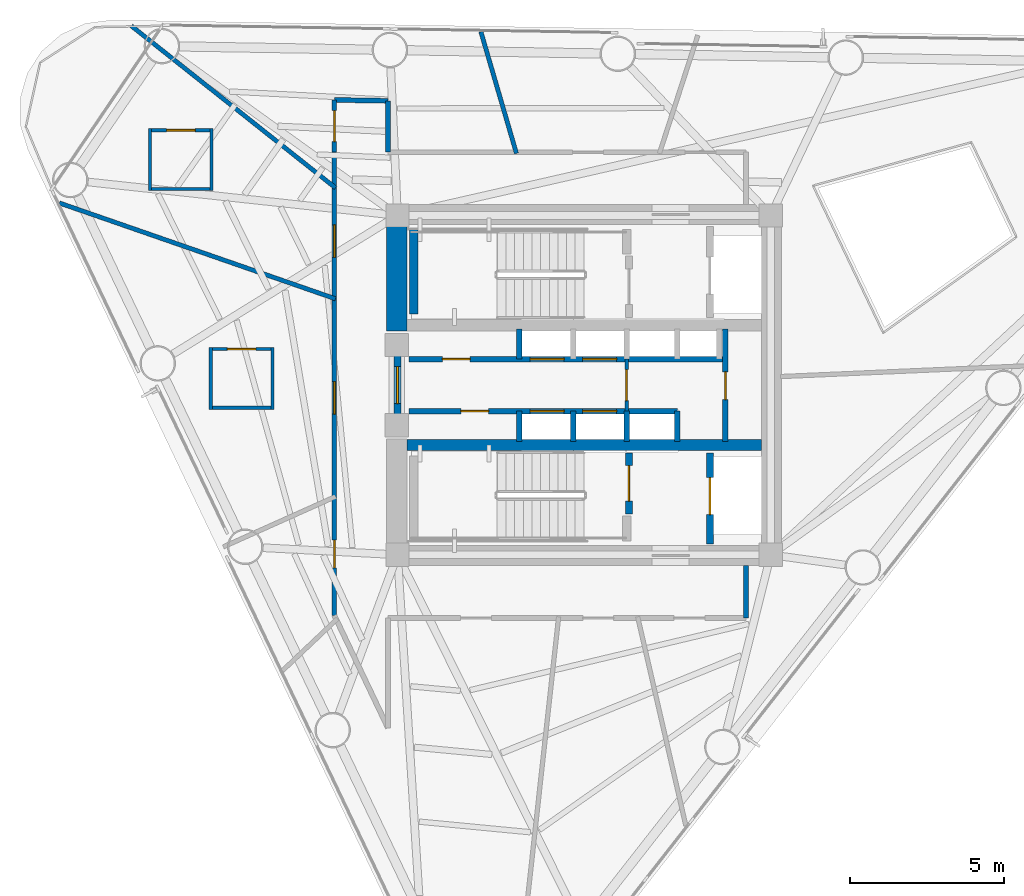
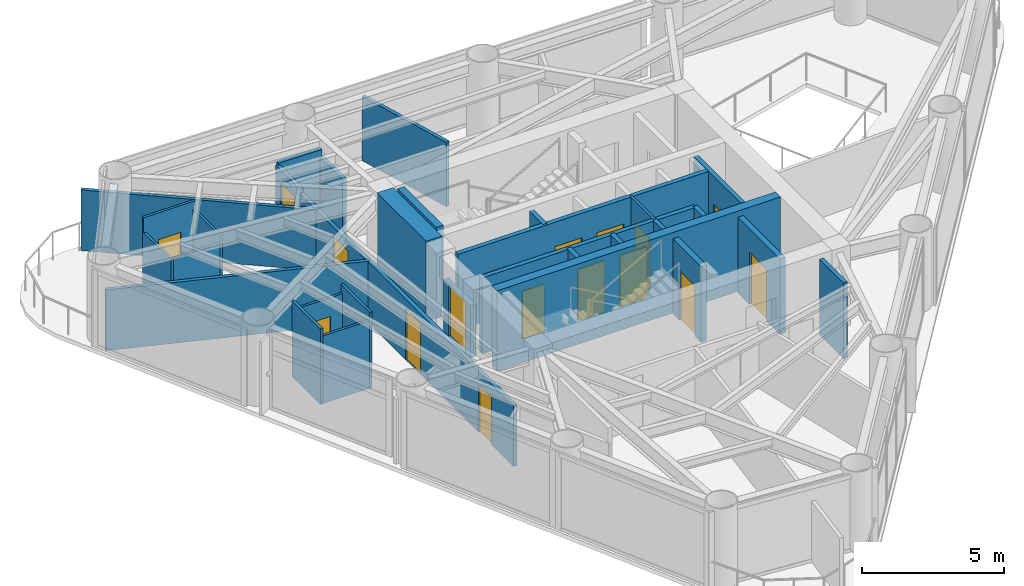
# One storey, part 5 of 9: 31 walls, 17 doors, 17 openings.
"""IFC4 building model written with IfcOpenShell, lengths in metres."""

from ifc_helpers import new_model, si_unit, direction, frame, frame_2d, origin, place, context, subcontext, project, spatial, rectangle, extrude, material, layer, layer_set, type_object, element, fill, save


model = new_model("IFC4")

# Units and contexts
model_context = context("Model", 3, precision=1e-05, world=origin(), true_north=direction((0.0, 1.0)))
body_context = subcontext(model_context, "Body", "Model", "MODEL_VIEW")
ifc_project = project(units=[si_unit("LENGTHUNIT", "METRE"), si_unit("AREAUNIT", "SQUARE_METRE"), si_unit("VOLUMEUNIT", "CUBIC_METRE"), si_unit("PLANEANGLEUNIT", "RADIAN"), si_unit("MASSUNIT", "GRAM", prefix="KILO")], contexts=[model_context])

# Site, building, storey
site_placement = place(None, origin())
site = spatial("IfcSite", under=ifc_project, at=site_placement, CompositionType="ELEMENT")
building_placement = place(site_placement, origin())
building = spatial("IfcBuilding", under=site, at=building_placement, Name="Yunling Apex Tower", CompositionType="ELEMENT")
storey_placement = place(building_placement, frame((0.0, 0.0, 208.699951171875)))
storey = spatial("IfcBuildingStorey", under=building, at=storey_placement, Name="L51", CompositionType="ELEMENT", Elevation=208.699951171875)

# Walls
ifc_material_1 = material(Name="Concrete C50", Category="concrete")
ifc_layer_1 = layer(ifc_material_1, 0.64990234375)
ifc_layer_set_1 = layer_set([ifc_layer_1], Name="Concrete C50")
wall_type_1 = type_object("IfcWallType", Name="WL-COR-2", PredefinedType="SHEAR", material=ifc_layer_set_1)
wall_1_placement = place(storey_placement, frame((-6.074951171875, 1.75, 0.0), z_axis=(0.0, 0.0, 1.0), x_axis=(0.0, 1.0, 0.0)))
element("IfcWall", 1, at=wall_1_placement, inside=storey, type_object=wall_type_1, Name="L51 West-North Core Shear Wall", PredefinedType="SHEAR", context=body_context, shape_type="SweptSolid", body=[
    extrude(rectangle(XDim=3.449951171875, YDim=0.64990234375, at=frame_2d((1.72509765625, 0.0))), origin(), (0.0, 0.0, 1.0), 3.449951171875),
])
ifc_material_2 = material(Name="Concrete C40", Category="concrete")
ifc_layer_2 = layer(ifc_material_2, 0.360107421875)
ifc_layer_set_2 = layer_set([ifc_layer_2], Name="Concrete C40")
wall_type_2 = type_object("IfcWallType", Name="WL-COR-4", PredefinedType="SHEAR", material=ifc_layer_set_2)
wall_2_placement = place(storey_placement, frame((-5.75, -1.93994140625, 0.0), z_axis=(0.0, 0.0, 1.0), x_axis=(1.0, 0.0, 0.0)))
element("IfcWall", 2, at=wall_2_placement, inside=storey, type_object=wall_type_2, Name="L51 South Internal Core Shear Wall", PredefinedType="SHEAR", context=body_context, shape_type="SweptSolid", body=[
    extrude(rectangle(XDim=11.5, YDim=0.360107421875, at=frame_2d((5.75, 0.0))), origin(), (0.0, 0.0, 1.0), 3.449951171875),
])
ifc_layer_3 = layer(ifc_material_2, 0.280029296875)
ifc_layer_set_3 = layer_set([ifc_layer_3], Name="Concrete C40")
wall_type_3 = type_object("IfcWallType", Name="WL-COR-8", PredefinedType="SHEAR", material=ifc_layer_set_3)
wall_3_placement = place(storey_placement, frame((-5.52001953125, 2.300048828125, 0.0), z_axis=(0.0, 0.0, 1.0), x_axis=(0.0, 1.0, 0.0)))
element("IfcWall", 3, at=wall_3_placement, inside=storey, type_object=wall_type_3, Name="L51 ST-1 West Landing Bearing Wall", PredefinedType="SHEAR", context=body_context, shape_type="SweptSolid", body=[
    extrude(rectangle(XDim=2.75, YDim=0.280029296875, at=frame_2d((1.375, 0.0))), origin(), (0.0, 0.0, 1.0), 3.449951171875),
])

# Wall, openings, doors
ifc_material_3 = material(Name="Gypsum board acoustic partition")
ifc_layer_4 = layer(ifc_material_3, 0.159912109375)
ifc_layer_set_4 = layer_set([ifc_layer_4], Name="Gypsum board acoustic partition")
wall_type_4 = type_object("IfcWallType", Name="WL-PRT-1", PredefinedType="PARTITIONING", material=ifc_layer_set_4)
wall_4_placement = place(storey_placement, frame((-8.10009765625, -7.460205078125, 0.0), z_axis=(0.0, 0.0, 1.0), x_axis=(0.0, 1.0, 0.0)))
wall_4 = element("IfcWall", 4, at=wall_4_placement, inside=storey, type_object=wall_type_4, Name="WL-CORR-L51-02", PredefinedType="PARTITIONING", context=body_context, shape_type="SweptSolid", body=[
    extrude(rectangle(XDim=15.01025390625, YDim=0.159912109375, at=frame_2d((7.505126953125, 0.0))), origin(), (0.0, 0.0, 1.0), 2.60498046875),
])
opening_1_placement = place(wall_4_placement, frame((1.537109375, 0.0, 0.0)))
opening_1 = element("IfcOpeningElement", 5, at=opening_1_placement, cuts=wall_4, Name="Opening DR-SHF-1", PredefinedType="OPENING", context=body_context, shape_type="SweptSolid", body=[
    extrude(rectangle(XDim=0.89990234375, YDim=2.050048828125, at=frame_2d((0.449951171875, 1.02490234375))), frame((0.0, 0.08984375, 0.0), z_axis=(0.0, -1.0, 0.0), x_axis=(1.0, 0.0, 0.0)), (0.0, 0.0, 1.0), 0.179931640625),
])
opening_2_placement = place(wall_4_placement, frame((6.522216796875, 0.0, 0.0)))
opening_2 = element("IfcOpeningElement", 6, at=opening_2_placement, cuts=wall_4, Name="Opening DR-FL-1", PredefinedType="OPENING", context=body_context, shape_type="SweptSolid", body=[
    extrude(rectangle(XDim=1.050048828125, YDim=2.199951171875, at=frame_2d((0.52490234375, 1.10009765625))), frame((0.0, 0.08984375, 0.0), z_axis=(0.0, -1.0, 0.0), x_axis=(1.0, 0.0, 0.0)), (0.0, 0.0, 1.0), 0.179931640625),
])
opening_3_placement = place(wall_4_placement, frame((11.604248046875, 0.0, 0.0)))
opening_3 = element("IfcOpeningElement", 7, at=opening_3_placement, cuts=wall_4, Name="Opening DR-FL-1", PredefinedType="OPENING", context=body_context, shape_type="SweptSolid", body=[
    extrude(rectangle(XDim=1.050048828125, YDim=2.199951171875, at=frame_2d((0.52490234375, 1.10009765625))), frame((0.0, 0.08984375, 0.0), z_axis=(0.0, -1.0, 0.0), x_axis=(1.0, 0.0, 0.0)), (0.0, 0.0, 1.0), 0.179931640625),
])
ifc_material_4 = material(Name="Timber fire-rated leaf", Category="wood")
door_type_1 = type_object("IfcDoorType", Name="DR-FL-1", OperationType="NOTDEFINED", PredefinedType="DOOR", material=ifc_material_4)
door_1_placement = place(opening_2_placement, origin())
door_1 = element("IfcDoor", 8, at=door_1_placement, inside=storey, type_object=door_type_1, Name="L51 Hotel Suite Door", OperationType="SINGLE_SWING_RIGHT", OverallHeight=2.199951171875, OverallWidth=1.050048828125, PredefinedType="DOOR", context=body_context, shape_type="SweptSolid", body=[
    extrude(rectangle(XDim=1.050048828125, YDim=2.199951171875, at=frame_2d((0.52490234375, 1.10009765625))), frame((0.0, 0.02490234375, 0.0), z_axis=(0.0, -1.0, 0.0), x_axis=(1.0, 0.0, 0.0)), (0.0, 0.0, 1.0), 0.050048828125),
])
fill(opening_2, door_1)
door_2_placement = place(opening_3_placement, origin())
door_2 = element("IfcDoor", 9, at=door_2_placement, inside=storey, type_object=door_type_1, Name="L51 Hotel Suite Door", OperationType="SINGLE_SWING_LEFT", OverallHeight=2.199951171875, OverallWidth=1.050048828125, PredefinedType="DOOR", context=body_context, shape_type="SweptSolid", body=[
    extrude(rectangle(XDim=1.050048828125, YDim=2.199951171875, at=frame_2d((0.52490234375, 1.10009765625))), frame((0.0, 0.02490234375, 0.0), z_axis=(0.0, -1.0, 0.0), x_axis=(1.0, 0.0, 0.0)), (0.0, 0.0, 1.0), 0.050048828125),
])
fill(opening_3, door_2)
ifc_material_5 = material(Name="Steel Q355B", Category="steel")
door_type_2 = type_object("IfcDoorType", Name="DR-SHF-1", OperationType="NOTDEFINED", PredefinedType="DOOR", material=ifc_material_5)
door_3_placement = place(opening_1_placement, origin())
door_3 = element("IfcDoor", 10, at=door_3_placement, inside=storey, type_object=door_type_2, Name="L51 Housekeeping Room Door", OperationType="SINGLE_SWING_LEFT", OverallHeight=2.050048828125, OverallWidth=0.89990234375, PredefinedType="DOOR", context=body_context, shape_type="SweptSolid", body=[
    extrude(rectangle(XDim=0.89990234375, YDim=2.050048828125, at=frame_2d((0.449951171875, 1.02490234375))), frame((0.0, 0.02490234375, 0.0), z_axis=(0.0, -1.0, 0.0), x_axis=(1.0, 0.0, 0.0)), (0.0, 0.0, 1.0), 0.050048828125),
])
fill(opening_1, door_3)

# Wall, opening, door
wall_5_placement = place(storey_placement, frame((-8.10009765625, 7.550048828125, 0.0), z_axis=(0.0, 0.0, 1.0), x_axis=(0.0, 1.0, 0.0)))
wall_5 = element("IfcWall", 11, at=wall_5_placement, inside=storey, type_object=wall_type_4, Name="WL-CORR-L51-03", PredefinedType="PARTITIONING", context=body_context, shape_type="SweptSolid", body=[
    extrude(rectangle(XDim=1.695556640625, YDim=0.159912109375, at=frame_2d((0.84765625, 0.0))), origin(), (0.0, 0.0, 1.0), 2.804931640625),
])
opening_4_placement = place(wall_5_placement, frame((0.347900390625, 0.0, 0.0)))
opening_4 = element("IfcOpeningElement", 12, at=opening_4_placement, cuts=wall_5, Name="Opening DR-OFF-1", PredefinedType="OPENING", context=body_context, shape_type="SweptSolid", body=[
    extrude(rectangle(XDim=1.0, YDim=2.25, at=frame_2d((0.5, 1.125))), frame((0.0, 0.08984375, 0.0), z_axis=(0.0, -1.0, 0.0), x_axis=(1.0, 0.0, 0.0)), (0.0, 0.0, 1.0), 0.179931640625),
])
ifc_material_6 = material(Name="Bronze anodised aluminium", Category="aluminium")
door_type_3 = type_object("IfcDoorType", Name="DR-OFF-1", OperationType="NOTDEFINED", PredefinedType="DOOR", material=ifc_material_6)
door_4_placement = place(opening_4_placement, origin())
door_4 = element("IfcDoor", 13, at=door_4_placement, inside=storey, type_object=door_type_3, Name="L51 Club Lounge Door", OperationType="SINGLE_SWING_RIGHT", OverallHeight=2.25, OverallWidth=1.0, PredefinedType="DOOR", context=body_context, shape_type="SweptSolid", body=[
    extrude(rectangle(XDim=1.0, YDim=2.25, at=frame_2d((0.5, 1.125))), frame((0.0, 0.02490234375, 0.0), z_axis=(0.0, -1.0, 0.0), x_axis=(1.0, 0.0, 0.0)), (0.0, 0.0, 1.0), 0.050048828125),
])
fill(opening_4, door_4)

# Walls
wall_6_placement = place(storey_placement, frame((-8.10009765625, 9.24560546875, 0.0), z_axis=(0.0, 0.0, 1.0), x_axis=(0.999858281466, -0.016834992813, 0.0)))
element("IfcWall", 14, at=wall_6_placement, inside=storey, type_object=wall_type_4, Name="WL-CORR-L51-04", PredefinedType="PARTITIONING", context=body_context, shape_type="SweptSolid", body=[
    extrude(rectangle(XDim=1.740234375, YDim=0.159912109375, at=frame_2d((0.8701171875, 0.0))), origin(), (0.0, 0.0, 1.0), 2.905029296875),
])
wall_7_placement = place(storey_placement, frame((-6.360107421875, 9.21630859375, 0.0), z_axis=(0.0, 0.0, 1.0), x_axis=(0.0, -1.0, 0.0)))
element("IfcWall", 15, at=wall_7_placement, inside=storey, type_object=wall_type_4, Name="WL-CORR-L51-05", PredefinedType="PARTITIONING", context=body_context, shape_type="SweptSolid", body=[
    extrude(rectangle(XDim=1.666259765625, YDim=0.159912109375, at=frame_2d((0.8330078125, 0.0))), origin(), (0.0, 0.0, 1.0), 2.60498046875),
])
wall_8_placement = place(storey_placement, frame((5.25, -5.85009765625, 0.0), z_axis=(0.0, 0.0, 1.0), x_axis=(0.0, -1.0, 0.0)))
element("IfcWall", 16, at=wall_8_placement, inside=storey, type_object=wall_type_4, Name="WL-CORR-L51-08", PredefinedType="PARTITIONING", context=body_context, shape_type="SweptSolid", body=[
    extrude(rectangle(XDim=1.699951171875, YDim=0.159912109375, at=frame_2d((0.85009765625, 0.0))), origin(), (0.0, 0.0, 1.0), 3.25),
])
ifc_layer_5 = layer(ifc_material_3, 0.139892578125)
ifc_layer_set_5 = layer_set([ifc_layer_5], Name="Gypsum board acoustic partition")
wall_type_5 = type_object("IfcWallType", Name="WL-PRT-2", PredefinedType="PARTITIONING", material=ifc_layer_set_5)
wall_9_placement = place(storey_placement, frame((-2.194091796875, 7.510009765625, 0.0), z_axis=(0.0, 0.0, 1.0), x_axis=(-0.280410435425, 0.959880194454, 0.0)))
element("IfcWall", 17, at=wall_9_placement, inside=storey, type_object=wall_type_5, Name="WL-RAD-L51-03", PredefinedType="PARTITIONING", context=body_context, shape_type="SweptSolid", body=[
    extrude(rectangle(XDim=4.111328125, YDim=0.139892578125, at=frame_2d((2.0556640625, 0.0))), origin(), (0.0, 0.0, 1.0), 2.76513671875),
])
wall_10_placement = place(storey_placement, frame((-8.06005859375, 6.394775390625, 0.0), z_axis=(0.0, 0.0, 1.0), x_axis=(-0.783385602556, 0.621535998723, 0.0)))
element("IfcWall", 18, at=wall_10_placement, inside=storey, type_object=wall_type_5, Name="WL-RAD-L51-04", PredefinedType="PARTITIONING", context=body_context, shape_type="SweptSolid", body=[
    extrude(rectangle(XDim=8.44873046875, YDim=0.139892578125, at=frame_2d((4.224365234375, 0.0))), origin(), (0.0, 0.0, 1.0), 2.60498046875),
])
wall_11_placement = place(storey_placement, frame((-8.06005859375, 2.7978515625, 0.0), z_axis=(0.0, 0.0, 1.0), x_axis=(-0.944705149401, 0.327920997643, 0.0)))
element("IfcWall", 19, at=wall_11_placement, inside=storey, type_object=wall_type_5, Name="WL-RAD-L51-05", PredefinedType="PARTITIONING", context=body_context, shape_type="SweptSolid", body=[
    extrude(rectangle(XDim=9.47607421875, YDim=0.139892578125, at=frame_2d((4.738037109375, 0.0))), origin(), (0.0, 0.0, 1.0), 2.60498046875),
])

# Wall, opening, door
ifc_layer_6 = layer(ifc_material_3, 0.10009765625)
ifc_layer_set_6 = layer_set([ifc_layer_6], Name="Gypsum board acoustic partition")
wall_type_6 = type_object("IfcWallType", Name="WL-PRT-4", PredefinedType="PARTITIONING", material=ifc_layer_set_6)
wall_12_placement = place(storey_placement, frame((1.3798828125, -0.840087890625, 0.0), z_axis=(0.0, 0.0, 1.0), x_axis=(0.0, 1.0, 0.0)))
wall_12 = element("IfcWall", 20, at=wall_12_placement, inside=storey, type_object=wall_type_6, Name="WL-LOB-MID-L51", PredefinedType="PARTITIONING", context=body_context, shape_type="SweptSolid", body=[
    extrude(rectangle(XDim=1.68017578125, YDim=0.10009765625, at=frame_2d((0.840087890625, 0.0))), origin(), (0.0, 0.0, 1.0), 3.25),
])
opening_5_placement = place(wall_12_placement, frame((0.340087890625, 0.0, 0.0)))
opening_5 = element("IfcOpeningElement", 21, at=opening_5_placement, cuts=wall_12, Name="Opening DR-OFF-1", PredefinedType="OPENING", context=body_context, shape_type="SweptSolid", body=[
    extrude(rectangle(XDim=1.0, YDim=2.25, at=frame_2d((0.5, 1.125))), frame((0.0, 0.06005859375, 0.0), z_axis=(0.0, -1.0, 0.0), x_axis=(1.0, 0.0, 0.0)), (0.0, 0.0, 1.0), 0.1201171875),
])
door_5_placement = place(opening_5_placement, origin())
door_5 = element("IfcDoor", 22, at=door_5_placement, inside=storey, type_object=door_type_3, Name="L51 Core Lobby Link Door", OperationType="SINGLE_SWING_LEFT", OverallHeight=2.25, OverallWidth=1.0, PredefinedType="DOOR", context=body_context, shape_type="SweptSolid", body=[
    extrude(rectangle(XDim=1.0, YDim=2.25, at=frame_2d((0.5, 1.125))), frame((0.0, 0.02490234375, 0.0), z_axis=(0.0, -1.0, 0.0), x_axis=(1.0, 0.0, 0.0)), (0.0, 0.0, 1.0), 0.050048828125),
])
fill(opening_5, door_5)

wall_13_placement = place(storey_placement, frame((-14.1240234375, 8.262939453125, 0.0), z_axis=(0.0, 0.0, 1.0), x_axis=(1.0, 0.0, 0.0)))
wall_13 = element("IfcWall", 23, at=wall_13_placement, inside=storey, type_object=wall_type_6, Name="WL-ENS-L51-8N", PredefinedType="PARTITIONING", context=body_context, shape_type="SweptSolid", body=[
    extrude(rectangle(XDim=2.10009765625, YDim=0.10009765625, at=frame_2d((1.050048828125, 0.0))), origin(), (0.0, 0.0, 1.0), 3.25),
])
opening_6_placement = place(wall_13_placement, frame((0.590087890625, 0.0, 0.0)))
opening_6 = element("IfcOpeningElement", 24, at=opening_6_placement, cuts=wall_13, Name="Opening DR-WC-1", PredefinedType="OPENING", context=body_context, shape_type="SweptSolid", body=[
    extrude(rectangle(XDim=0.919921875, YDim=2.10009765625, at=frame_2d((0.4599609375, 1.050048828125))), frame((0.0, 0.06005859375, 0.0), z_axis=(0.0, -1.0, 0.0), x_axis=(1.0, 0.0, 0.0)), (0.0, 0.0, 1.0), 0.1201171875),
])
ifc_material_7 = material(Name="Timber moisture-resistant leaf", Category="wood")
door_type_4 = type_object("IfcDoorType", Name="DR-WC-1", OperationType="NOTDEFINED", PredefinedType="DOOR", material=ifc_material_7)
door_6_placement = place(opening_6_placement, origin())
door_6 = element("IfcDoor", 25, at=door_6_placement, inside=storey, type_object=door_type_4, Name="L51 En-Suite Door", OperationType="SINGLE_SWING_LEFT", OverallHeight=2.10009765625, OverallWidth=0.919921875, PredefinedType="DOOR", context=body_context, shape_type="SweptSolid", body=[
    extrude(rectangle(XDim=0.919921875, YDim=2.10009765625, at=frame_2d((0.4599609375, 1.050048828125))), frame((0.0, 0.02490234375, 0.0), z_axis=(0.0, -1.0, 0.0), x_axis=(1.0, 0.0, 0.0)), (0.0, 0.0, 1.0), 0.050048828125),
])
fill(opening_6, door_6)

# Walls
wall_14_placement = place(storey_placement, frame((-12.02392578125, 6.363037109375, 0.0), z_axis=(0.0, 0.0, 1.0), x_axis=(-1.0, 0.0, 0.0)))
element("IfcWall", 26, at=wall_14_placement, inside=storey, type_object=wall_type_6, Name="WL-ENS-L51-8S", PredefinedType="PARTITIONING", context=body_context, shape_type="SweptSolid", body=[
    extrude(rectangle(XDim=2.10009765625, YDim=0.10009765625, at=frame_2d((1.050048828125, 0.0))), origin(), (0.0, 0.0, 1.0), 2.60498046875),
])
wall_15_placement = place(storey_placement, frame((-12.073974609375, 8.31298828125, 0.0), z_axis=(0.0, 0.0, 1.0), x_axis=(0.0, -1.0, 0.0)))
element("IfcWall", 27, at=wall_15_placement, inside=storey, type_object=wall_type_6, Name="WL-ENS-L51-8E", PredefinedType="PARTITIONING", context=body_context, shape_type="SweptSolid", body=[
    extrude(rectangle(XDim=2.0, YDim=0.10009765625, at=frame_2d((1.0, 0.0))), origin(), (0.0, 0.0, 1.0), 2.905029296875),
])
wall_16_placement = place(storey_placement, frame((-14.073974609375, 6.31298828125, 0.0), z_axis=(0.0, 0.0, 1.0), x_axis=(0.0, 1.0, 0.0)))
element("IfcWall", 28, at=wall_16_placement, inside=storey, type_object=wall_type_6, Name="WL-ENS-L51-8W", PredefinedType="PARTITIONING", context=body_context, shape_type="SweptSolid", body=[
    extrude(rectangle(XDim=2.0, YDim=0.10009765625, at=frame_2d((1.0, 0.0))), origin(), (0.0, 0.0, 1.0), 2.60498046875),
])

# Wall, opening, door
wall_17_placement = place(storey_placement, frame((-12.155029296875, 1.1669921875, 0.0), z_axis=(0.0, 0.0, 1.0), x_axis=(1.0, 0.0, 0.0)))
wall_17 = element("IfcWall", 29, at=wall_17_placement, inside=storey, type_object=wall_type_6, Name="WL-ENS-L51-9N", PredefinedType="PARTITIONING", context=body_context, shape_type="SweptSolid", body=[
    extrude(rectangle(XDim=2.10009765625, YDim=0.10009765625, at=frame_2d((1.050048828125, 0.0))), origin(), (0.0, 0.0, 1.0), 2.905029296875),
])
opening_7_placement = place(wall_17_placement, frame((0.590087890625, 0.0, 0.0)))
opening_7 = element("IfcOpeningElement", 30, at=opening_7_placement, cuts=wall_17, Name="Opening DR-WC-1", PredefinedType="OPENING", context=body_context, shape_type="SweptSolid", body=[
    extrude(rectangle(XDim=0.919921875, YDim=2.10009765625, at=frame_2d((0.4599609375, 1.050048828125))), frame((0.0, 0.06005859375, 0.0), z_axis=(0.0, -1.0, 0.0), x_axis=(1.0, 0.0, 0.0)), (0.0, 0.0, 1.0), 0.1201171875),
])
door_7_placement = place(opening_7_placement, origin())
door_7 = element("IfcDoor", 31, at=door_7_placement, inside=storey, type_object=door_type_4, Name="L51 En-Suite Door", OperationType="SINGLE_SWING_RIGHT", OverallHeight=2.10009765625, OverallWidth=0.919921875, PredefinedType="DOOR", context=body_context, shape_type="SweptSolid", body=[
    extrude(rectangle(XDim=0.919921875, YDim=2.10009765625, at=frame_2d((0.4599609375, 1.050048828125))), frame((0.0, 0.02490234375, 0.0), z_axis=(0.0, -1.0, 0.0), x_axis=(1.0, 0.0, 0.0)), (0.0, 0.0, 1.0), 0.050048828125),
])
fill(opening_7, door_7)

# Walls
wall_18_placement = place(storey_placement, frame((-10.054931640625, -0.73291015625, 0.0), z_axis=(0.0, 0.0, 1.0), x_axis=(-1.0, 0.0, 0.0)))
element("IfcWall", 32, at=wall_18_placement, inside=storey, type_object=wall_type_6, Name="WL-ENS-L51-9S", PredefinedType="PARTITIONING", context=body_context, shape_type="SweptSolid", body=[
    extrude(rectangle(XDim=2.10009765625, YDim=0.10009765625, at=frame_2d((1.050048828125, 0.0))), origin(), (0.0, 0.0, 1.0), 2.905029296875),
])
for number, where, z_axis, x_axis, name in (
    (33, (-10.10498046875, 1.217041015625, 0.0), (0.0, 0.0, 1.0), (0.0, -1.0, 0.0), "WL-ENS-L51-9E"),
    (34, (-12.10498046875, -0.782958984375, 0.0), (0.0, 0.0, 1.0), (0.0, 1.0, 0.0), "WL-ENS-L51-9W"),
):
    element("IfcWall", number, at=place(storey_placement, frame(where, z_axis=z_axis, x_axis=x_axis)), inside=storey, type_object=wall_type_6, Name=name, PredefinedType="PARTITIONING", context=body_context, shape_type="SweptSolid", body=[
        extrude(rectangle(XDim=2.0, YDim=0.10009765625, at=frame_2d((1.0, 0.0))), origin(), (0.0, 0.0, 1.0), 3.25),
    ])

# Wall, opening, door
ifc_material_8 = material(Name="Autoclaved aerated concrete masonry", Category="masonry")
ifc_layer_7 = layer(ifc_material_8, 0.219970703125)
ifc_layer_set_7 = layer_set([ifc_layer_7], Name="Autoclaved aerated concrete masonry")
wall_type_7 = type_object("IfcWallType", Name="WL-SHF-1", PredefinedType="PLUMBINGWALL", material=ifc_layer_set_7)
wall_19_placement = place(storey_placement, frame((-6.050048828125, -0.949951171875, 0.0), z_axis=(0.0, 0.0, 1.0), x_axis=(0.0, 1.0, 0.0)))
wall_19 = element("IfcWall", 35, at=wall_19_placement, inside=storey, type_object=wall_type_7, Name="WL-COR-WPORT-L51", PredefinedType="PLUMBINGWALL", context=body_context, shape_type="SweptSolid", body=[
    extrude(rectangle(XDim=1.89990234375, YDim=0.219970703125, at=frame_2d((0.949951171875, 0.0))), origin(), (0.0, 0.0, 1.0), 2.22998046875),
])
opening_8_placement = place(wall_19_placement, frame((0.35009765625, 0.0, 0.0)))
opening_8 = element("IfcOpeningElement", 36, at=opening_8_placement, cuts=wall_19, Name="Opening DR-FFL-1", PredefinedType="OPENING", context=body_context, shape_type="SweptSolid", body=[
    extrude(rectangle(XDim=1.199951171875, YDim=2.199951171875, at=frame_2d((0.60009765625, 1.10009765625))), frame((0.0, 0.1201171875, 0.0), z_axis=(0.0, -1.0, 0.0), x_axis=(1.0, 0.0, 0.0)), (0.0, 0.0, 1.0), 0.239990234375),
])
door_type_5 = type_object("IfcDoorType", Name="DR-FFL-1", OperationType="NOTDEFINED", PredefinedType="DOOR", material=ifc_material_5)
door_8_placement = place(opening_8_placement, origin())
door_8 = element("IfcDoor", 37, at=door_8_placement, inside=storey, type_object=door_type_5, Name="L51 Passenger Lift Lobby Entrance Door", OperationType="SINGLE_SWING_RIGHT", OverallHeight=2.199951171875, OverallWidth=1.199951171875, PredefinedType="DOOR", context=body_context, shape_type="SweptSolid", body=[
    extrude(rectangle(XDim=1.199951171875, YDim=2.199951171875, at=frame_2d((0.60009765625, 1.10009765625))), frame((0.0, 0.02490234375, 0.0), z_axis=(0.0, -1.0, 0.0), x_axis=(1.0, 0.0, 0.0)), (0.0, 0.0, 1.0), 0.050048828125),
])
fill(opening_8, door_8)

wall_20_placement = place(storey_placement, frame((1.449951171875, -4.179931640625, 0.0), z_axis=(0.0, 0.0, 1.0), x_axis=(0.0, 1.0, 0.0)))
wall_20 = element("IfcWall", 38, at=wall_20_placement, inside=storey, type_object=wall_type_7, Name="WL-ST2-E-L51", PredefinedType="PLUMBINGWALL", context=body_context, shape_type="SweptSolid", body=[
    extrude(rectangle(XDim=1.97998046875, YDim=0.219970703125, at=frame_2d((0.989990234375, 0.0))), origin(), (0.0, 0.0, 1.0), 3.25),
])
opening_9_placement = place(wall_20_placement, frame((0.419921875, 0.0, 0.0)))
opening_9 = element("IfcOpeningElement", 39, at=opening_9_placement, cuts=wall_20, Name="Opening DR-ST-1", PredefinedType="OPENING", context=body_context, shape_type="SweptSolid", body=[
    extrude(rectangle(XDim=1.14990234375, YDim=2.14990234375, at=frame_2d((0.574951171875, 1.074951171875))), frame((0.0, 0.1201171875, 0.0), z_axis=(0.0, -1.0, 0.0), x_axis=(1.0, 0.0, 0.0)), (0.0, 0.0, 1.0), 0.239990234375),
])
door_type_6 = type_object("IfcDoorType", Name="DR-ST-1", OperationType="NOTDEFINED", PredefinedType="DOOR", material=ifc_material_5)
door_9_placement = place(opening_9_placement, origin())
door_9 = element("IfcDoor", 40, at=door_9_placement, inside=storey, type_object=door_type_6, Name="L51 Stair ST-2 Fire Door", OperationType="SINGLE_SWING_RIGHT", OverallHeight=2.14990234375, OverallWidth=1.14990234375, PredefinedType="DOOR", context=body_context, shape_type="SweptSolid", body=[
    extrude(rectangle(XDim=1.14990234375, YDim=2.14990234375, at=frame_2d((0.574951171875, 1.074951171875))), frame((0.0, 0.02490234375, 0.0), z_axis=(0.0, -1.0, 0.0), x_axis=(1.0, 0.0, 0.0)), (0.0, 0.0, 1.0), 0.050048828125),
])
fill(opening_9, door_9)

wall_21_placement = place(storey_placement, frame((4.080078125, -5.14990234375, 0.0), z_axis=(0.0, 0.0, 1.0), x_axis=(0.0, 1.0, 0.0)))
wall_21 = element("IfcWall", 41, at=wall_21_placement, inside=storey, type_object=wall_type_7, Name="WL-FFL2-W-L51", PredefinedType="PLUMBINGWALL", context=body_context, shape_type="SweptSolid", body=[
    extrude(rectangle(XDim=2.949951171875, YDim=0.219970703125, at=frame_2d((1.47509765625, 0.0))), origin(), (0.0, 0.0, 1.0), 3.25),
])
opening_10_placement = place(wall_21_placement, frame((0.949951171875, 0.0, 0.0)))
opening_10 = element("IfcOpeningElement", 42, at=opening_10_placement, cuts=wall_21, Name="Opening LD-FFL-1", PredefinedType="OPENING", context=body_context, shape_type="SweptSolid", body=[
    extrude(rectangle(XDim=1.199951171875, YDim=2.25, at=frame_2d((0.60009765625, 1.125))), frame((0.0, 0.1201171875, 0.0), z_axis=(0.0, -1.0, 0.0), x_axis=(1.0, 0.0, 0.0)), (0.0, 0.0, 1.0), 0.239990234375),
])
door_type_7 = type_object("IfcDoorType", Name="LD-FFL-1", OperationType="DOUBLE_DOOR_SLIDING", PredefinedType="DOOR", material=ifc_material_5)
door_10_placement = place(opening_10_placement, origin())
door_10 = element("IfcDoor", 43, at=door_10_placement, inside=storey, type_object=door_type_7, Name="L51 Lift FFL-2 Landing Door", OperationType="DOUBLE_DOOR_SLIDING", OverallHeight=2.25, OverallWidth=1.199951171875, PredefinedType="DOOR", context=body_context, shape_type="SweptSolid", body=[
    extrude(rectangle(XDim=1.199951171875, YDim=2.25, at=frame_2d((0.60009765625, 1.125))), frame((0.0, 0.02490234375, 0.0), z_axis=(0.0, -1.0, 0.0), x_axis=(1.0, 0.0, 0.0)), (0.0, 0.0, 1.0), 0.050048828125),
])
fill(opening_10, door_10)

# Walls
ifc_layer_8 = layer(ifc_material_8, 0.179931640625)
ifc_layer_set_8 = layer_set([ifc_layer_8], Name="Autoclaved aerated concrete masonry")
wall_type_8 = type_object("IfcWallType", Name="WL-SHF-2", PredefinedType="PLUMBINGWALL", material=ifc_layer_set_8)
for number, where, z_axis, x_axis, name in (
    (44, (-2.10009765625, 0.840087890625, 0.0), (0.0, 0.0, 1.0), (0.0, 1.0, 0.0), "WL-BNK-LM-N-L51"),
    (45, (-2.10009765625, -1.820068359375, 0.0), (0.0, 0.0, 1.0), (0.0, 1.0, 0.0), "WL-BNK-LM-S-L51"),
    (46, (-0.35009765625, -1.820068359375, 0.0), (0.0, 0.0, 1.0), (0.0, 1.0, 0.0), "WL-DIV-M34-L51"),
    (47, (1.3798828125, -1.820068359375, 0.0), (0.0, 0.0, 1.0), (0.0, 1.0, 0.0), "WL-BNK-MH-S-L51"),
    (48, (3.02001953125, -1.820068359375, 0.0), (0.0, 0.0, 1.0), (0.0, 1.0, 0.0), "WL-END-H2E-L51"),
):
    element("IfcWall", number, at=place(storey_placement, frame(where, z_axis=z_axis, x_axis=x_axis)), inside=storey, type_object=wall_type_8, Name=name, PredefinedType="PLUMBINGWALL", context=body_context, shape_type="SweptSolid", body=[
        extrude(rectangle(XDim=0.97998046875, YDim=0.179931640625, at=frame_2d((0.489990234375, 0.0))), origin(), (0.0, 0.0, 1.0), 3.25),
    ])

# Wall, opening, door
wall_22_placement = place(storey_placement, frame((4.580078125, -1.820068359375, 0.0), z_axis=(0.0, 0.0, 1.0), x_axis=(0.0, 1.0, 0.0)))
wall_22 = element("IfcWall", 49, at=wall_22_placement, inside=storey, type_object=wall_type_8, Name="WL-KBE-W-L51", PredefinedType="PLUMBINGWALL", context=body_context, shape_type="SweptSolid", body=[
    extrude(rectangle(XDim=3.64013671875, YDim=0.179931640625, at=frame_2d((1.820068359375, 0.0))), origin(), (0.0, 0.0, 1.0), 3.25),
])
opening_11_placement = place(wall_22_placement, frame((1.35009765625, 0.0, 0.0)))
opening_11 = element("IfcOpeningElement", 50, at=opening_11_placement, cuts=wall_22, Name="Opening DR-SHF-1", PredefinedType="OPENING", context=body_context, shape_type="SweptSolid", body=[
    extrude(rectangle(XDim=0.89990234375, YDim=2.050048828125, at=frame_2d((0.449951171875, 1.02490234375))), frame((0.0, 0.10009765625, 0.0), z_axis=(0.0, -1.0, 0.0), x_axis=(1.0, 0.0, 0.0)), (0.0, 0.0, 1.0), 0.199951171875),
])
door_11_placement = place(opening_11_placement, origin())
door_11 = element("IfcDoor", 51, at=door_11_placement, inside=storey, type_object=door_type_2, Name="L51 Core Meter Room Door", OperationType="SINGLE_SWING_RIGHT", OverallHeight=2.050048828125, OverallWidth=0.89990234375, PredefinedType="DOOR", context=body_context, shape_type="SweptSolid", body=[
    extrude(rectangle(XDim=0.89990234375, YDim=2.050048828125, at=frame_2d((0.449951171875, 1.02490234375))), frame((0.0, 0.02490234375, 0.0), z_axis=(0.0, -1.0, 0.0), x_axis=(1.0, 0.0, 0.0)), (0.0, 0.0, 1.0), 0.050048828125),
])
fill(opening_11, door_11)

# Wall, openings, doors
wall_23_placement = place(storey_placement, frame((-5.679931640625, 0.840087890625, 0.0), z_axis=(0.0, 0.0, 1.0), x_axis=(1.0, 0.0, 0.0)))
wall_23 = element("IfcWall", 52, at=wall_23_placement, inside=storey, type_object=wall_type_8, Name="WL-LOB-N-L51", PredefinedType="PLUMBINGWALL", context=body_context, shape_type="SweptSolid", body=[
    extrude(rectangle(XDim=10.260009765625, YDim=0.179931640625, at=frame_2d((5.1298828125, 0.0))), origin(), (0.0, 0.0, 1.0), 3.25),
])
opening_12_placement = place(wall_23_placement, frame((1.080078125, 0.0, 0.0)))
opening_12 = element("IfcOpeningElement", 53, at=opening_12_placement, cuts=wall_23, Name="Opening DR-SHF-1", PredefinedType="OPENING", context=body_context, shape_type="SweptSolid", body=[
    extrude(rectangle(XDim=0.89990234375, YDim=2.050048828125, at=frame_2d((0.449951171875, 1.02490234375))), frame((0.0, 0.10009765625, 0.0), z_axis=(0.0, -1.0, 0.0), x_axis=(1.0, 0.0, 0.0)), (0.0, 0.0, 1.0), 0.199951171875),
])
opening_13_placement = place(wall_23_placement, frame((3.929931640625, 0.0, 0.0)))
opening_13 = element("IfcOpeningElement", 54, at=opening_13_placement, cuts=wall_23, Name="Opening LD-PAS-1", PredefinedType="OPENING", context=body_context, shape_type="SweptSolid", body=[
    extrude(rectangle(XDim=1.10009765625, YDim=2.199951171875, at=frame_2d((0.550048828125, 1.10009765625))), frame((0.0, 0.10009765625, 0.0), z_axis=(0.0, -1.0, 0.0), x_axis=(1.0, 0.0, 0.0)), (0.0, 0.0, 1.0), 0.199951171875),
])
opening_14_placement = place(wall_23_placement, frame((5.6298828125, 0.0, 0.0)))
opening_14 = element("IfcOpeningElement", 55, at=opening_14_placement, cuts=wall_23, Name="Opening LD-PAS-1", PredefinedType="OPENING", context=body_context, shape_type="SweptSolid", body=[
    extrude(rectangle(XDim=1.10009765625, YDim=2.199951171875, at=frame_2d((0.550048828125, 1.10009765625))), frame((0.0, 0.10009765625, 0.0), z_axis=(0.0, -1.0, 0.0), x_axis=(1.0, 0.0, 0.0)), (0.0, 0.0, 1.0), 0.199951171875),
])
door_12_placement = place(opening_12_placement, origin())
door_12 = element("IfcDoor", 56, at=door_12_placement, inside=storey, type_object=door_type_2, Name="L51 BMS Plant Door", OperationType="SINGLE_SWING_LEFT", OverallHeight=2.050048828125, OverallWidth=0.89990234375, PredefinedType="DOOR", context=body_context, shape_type="SweptSolid", body=[
    extrude(rectangle(XDim=0.89990234375, YDim=2.050048828125, at=frame_2d((0.449951171875, 1.02490234375))), frame((0.0, 0.02490234375, 0.0), z_axis=(0.0, -1.0, 0.0), x_axis=(1.0, 0.0, 0.0)), (0.0, 0.0, 1.0), 0.050048828125),
])
fill(opening_12, door_12)
ifc_material_9 = material(Name="Silver anodised aluminium", Category="aluminium")
door_type_8 = type_object("IfcDoorType", Name="LD-PAS-1", OperationType="DOUBLE_DOOR_SLIDING", PredefinedType="DOOR", material=ifc_material_9)
door_13_placement = place(opening_13_placement, origin())
door_13 = element("IfcDoor", 57, at=door_13_placement, inside=storey, type_object=door_type_8, Name="L51 Lift PL-M1 Landing Door", OperationType="DOUBLE_DOOR_SLIDING", OverallHeight=2.199951171875, OverallWidth=1.10009765625, PredefinedType="DOOR", context=body_context, shape_type="SweptSolid", body=[
    extrude(rectangle(XDim=1.10009765625, YDim=2.199951171875, at=frame_2d((0.550048828125, 1.10009765625))), frame((0.0, 0.02490234375, 0.0), z_axis=(0.0, -1.0, 0.0), x_axis=(1.0, 0.0, 0.0)), (0.0, 0.0, 1.0), 0.050048828125),
])
fill(opening_13, door_13)
door_14_placement = place(opening_14_placement, origin())
door_14 = element("IfcDoor", 58, at=door_14_placement, inside=storey, type_object=door_type_8, Name="L51 Lift PL-M2 Landing Door", OperationType="DOUBLE_DOOR_SLIDING", OverallHeight=2.199951171875, OverallWidth=1.10009765625, PredefinedType="DOOR", context=body_context, shape_type="SweptSolid", body=[
    extrude(rectangle(XDim=1.10009765625, YDim=2.199951171875, at=frame_2d((0.550048828125, 1.10009765625))), frame((0.0, 0.02490234375, 0.0), z_axis=(0.0, -1.0, 0.0), x_axis=(1.0, 0.0, 0.0)), (0.0, 0.0, 1.0), 0.050048828125),
])
fill(opening_14, door_14)

wall_24_placement = place(storey_placement, frame((-5.679931640625, -0.840087890625, 0.0), z_axis=(0.0, 0.0, 1.0), x_axis=(1.0, 0.0, 0.0)))
wall_24 = element("IfcWall", 59, at=wall_24_placement, inside=storey, type_object=wall_type_8, Name="WL-LOB-S-L51", PredefinedType="PLUMBINGWALL", context=body_context, shape_type="SweptSolid", body=[
    extrude(rectangle(XDim=8.699951171875, YDim=0.179931640625, at=frame_2d((4.35009765625, 0.0))), origin(), (0.0, 0.0, 1.0), 3.25),
])
opening_15_placement = place(wall_24_placement, frame((1.679931640625, 0.0, 0.0)))
opening_15 = element("IfcOpeningElement", 60, at=opening_15_placement, cuts=wall_24, Name="Opening DR-SHF-1", PredefinedType="OPENING", context=body_context, shape_type="SweptSolid", body=[
    extrude(rectangle(XDim=0.89990234375, YDim=2.050048828125, at=frame_2d((0.449951171875, 1.02490234375))), frame((0.0, 0.10009765625, 0.0), z_axis=(0.0, -1.0, 0.0), x_axis=(1.0, 0.0, 0.0)), (0.0, 0.0, 1.0), 0.199951171875),
])
opening_16_placement = place(wall_24_placement, frame((3.929931640625, 0.0, 0.0)))
opening_16 = element("IfcOpeningElement", 61, at=opening_16_placement, cuts=wall_24, Name="Opening LD-PAS-1", PredefinedType="OPENING", context=body_context, shape_type="SweptSolid", body=[
    extrude(rectangle(XDim=1.10009765625, YDim=2.199951171875, at=frame_2d((0.550048828125, 1.10009765625))), frame((0.0, 0.10009765625, 0.0), z_axis=(0.0, -1.0, 0.0), x_axis=(1.0, 0.0, 0.0)), (0.0, 0.0, 1.0), 0.199951171875),
])
opening_17_placement = place(wall_24_placement, frame((5.6298828125, 0.0, 0.0)))
opening_17 = element("IfcOpeningElement", 62, at=opening_17_placement, cuts=wall_24, Name="Opening LD-PAS-1", PredefinedType="OPENING", context=body_context, shape_type="SweptSolid", body=[
    extrude(rectangle(XDim=1.10009765625, YDim=2.199951171875, at=frame_2d((0.550048828125, 1.10009765625))), frame((0.0, 0.10009765625, 0.0), z_axis=(0.0, -1.0, 0.0), x_axis=(1.0, 0.0, 0.0)), (0.0, 0.0, 1.0), 0.199951171875),
])
door_15_placement = place(opening_15_placement, origin())
door_15 = element("IfcDoor", 63, at=door_15_placement, inside=storey, type_object=door_type_2, Name="L51 Supply Store Door", OperationType="SINGLE_SWING_RIGHT", OverallHeight=2.050048828125, OverallWidth=0.89990234375, PredefinedType="DOOR", context=body_context, shape_type="SweptSolid", body=[
    extrude(rectangle(XDim=0.89990234375, YDim=2.050048828125, at=frame_2d((0.449951171875, 1.02490234375))), frame((0.0, 0.02490234375, 0.0), z_axis=(0.0, -1.0, 0.0), x_axis=(1.0, 0.0, 0.0)), (0.0, 0.0, 1.0), 0.050048828125),
])
fill(opening_15, door_15)
door_16_placement = place(opening_16_placement, origin())
door_16 = element("IfcDoor", 64, at=door_16_placement, inside=storey, type_object=door_type_8, Name="L51 Lift PL-M3 Landing Door", OperationType="DOUBLE_DOOR_SLIDING", OverallHeight=2.199951171875, OverallWidth=1.10009765625, PredefinedType="DOOR", context=body_context, shape_type="SweptSolid", body=[
    extrude(rectangle(XDim=1.10009765625, YDim=2.199951171875, at=frame_2d((0.550048828125, 1.10009765625))), frame((0.0, 0.02490234375, 0.0), z_axis=(0.0, -1.0, 0.0), x_axis=(1.0, 0.0, 0.0)), (0.0, 0.0, 1.0), 0.050048828125),
])
fill(opening_16, door_16)
door_17_placement = place(opening_17_placement, origin())
door_17 = element("IfcDoor", 65, at=door_17_placement, inside=storey, type_object=door_type_8, Name="L51 Lift PL-M4 Landing Door", OperationType="DOUBLE_DOOR_SLIDING", OverallHeight=2.199951171875, OverallWidth=1.10009765625, PredefinedType="DOOR", context=body_context, shape_type="SweptSolid", body=[
    extrude(rectangle(XDim=1.10009765625, YDim=2.199951171875, at=frame_2d((0.550048828125, 1.10009765625))), frame((0.0, 0.02490234375, 0.0), z_axis=(0.0, -1.0, 0.0), x_axis=(1.0, 0.0, 0.0)), (0.0, 0.0, 1.0), 0.050048828125),
])
fill(opening_17, door_17)

save(model, "model.ifc")
